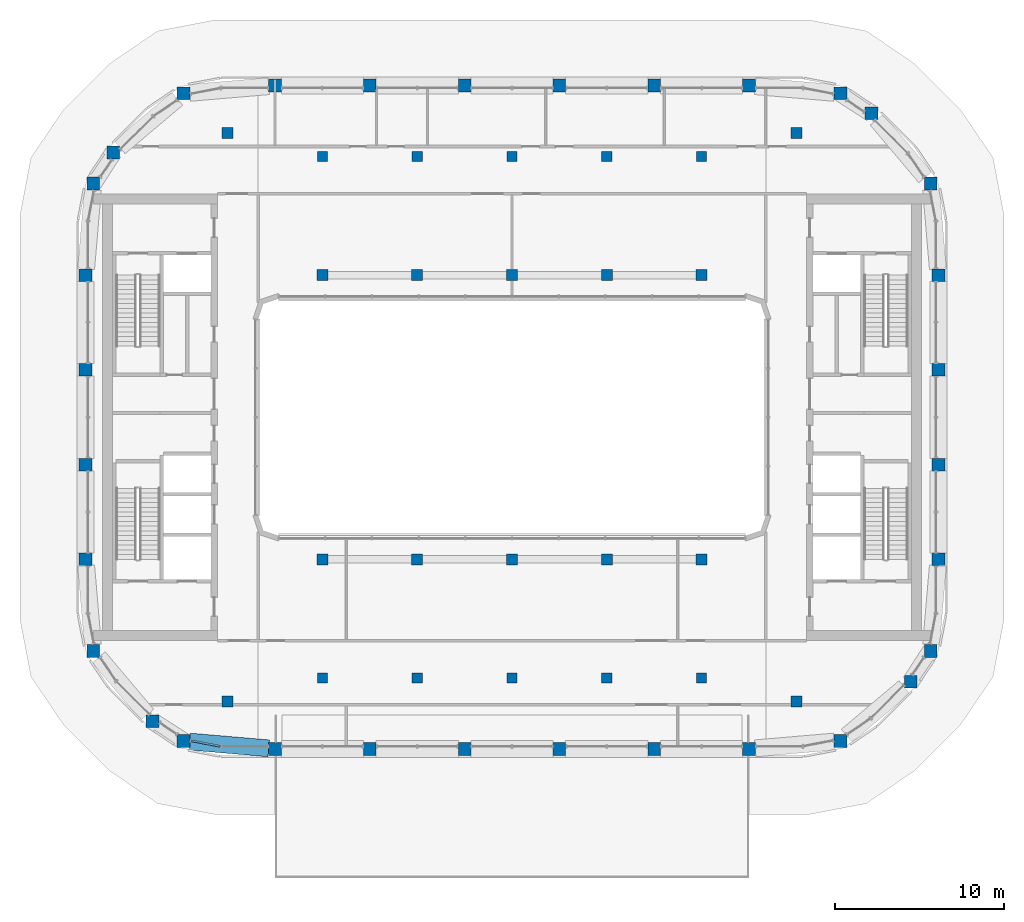
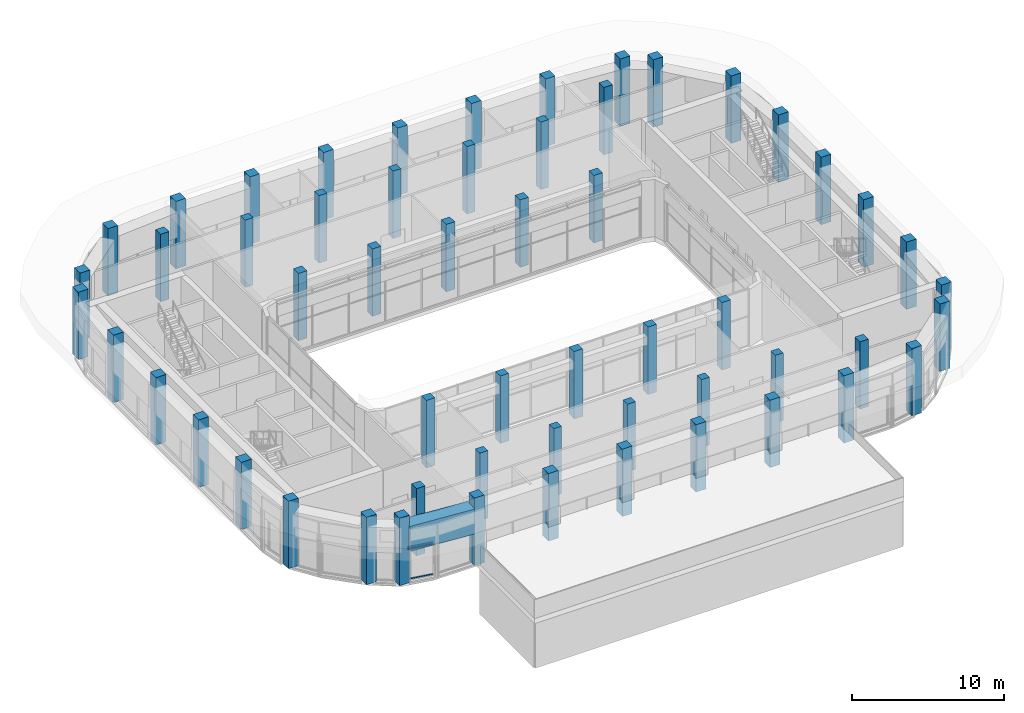
# One storey, part 1 of 23: 56 columns, 3 members, 1 beam, 1 element without a shape of its own.
"""IFC4 building model written with IfcOpenShell, lengths in metres."""

from ifc_helpers import new_model, si_unit, direction, frame, origin, origin_2d, place, context, subcontext, project, spatial, rectangle, extrude, material, layer, layer_set, material_profile, profile_set, type_object, element, aggregate, save


model = new_model("IFC4")

# Units and contexts
model_context = context("Model", 3, precision=1e-05, world=origin(), true_north=direction((0.0, 1.0)))
body_context = subcontext(model_context, "Body", "Model", "MODEL_VIEW")
ifc_project = project(units=[si_unit("LENGTHUNIT", "METRE"), si_unit("AREAUNIT", "SQUARE_METRE"), si_unit("VOLUMEUNIT", "CUBIC_METRE"), si_unit("PLANEANGLEUNIT", "RADIAN"), si_unit("MASSUNIT", "GRAM", prefix="KILO")], contexts=[model_context])

# Site, building, storey
site_placement = place(None, origin())
site = spatial("IfcSite", under=ifc_project, at=site_placement, CompositionType="ELEMENT")
building_placement = place(site_placement, origin())
building = spatial("IfcBuilding", under=site, at=building_placement, Name="Kiln Ring Residences", CompositionType="ELEMENT")
storey_placement = place(building_placement, frame((0.0, 0.0, 294.5)))
storey = spatial("IfcBuildingStorey", under=building, at=storey_placement, Name="L76", CompositionType="ELEMENT", Elevation=294.5)

# Columns
ifc_material_1 = material(Name="Concrete C60/75", Category="concrete")
ifc_material_profile_1 = material_profile(ifc_material_1, rectangle(XDim=0.60009765625, YDim=0.60009765625, at=origin_2d()), Name="RC600x600")
ifc_profile_set_1 = profile_set([ifc_material_profile_1], Name="Concrete C60/75")
column_type_1 = type_object("IfcColumnType", Name="Corridor column RC600x600 C60/75", PredefinedType="COLUMN", material=ifc_profile_set_1)
for number, where, z_axis, x_axis, name in (
    (1, (-11.199951171875, 15.39990234375, 0.0), (0.0, 0.0, 1.0), (1.0, 0.0, 0.0), "Corridor column L76 1"),
    (2, (-5.60009765625, 15.39990234375, 0.0), (0.0, 0.0, 1.0), (1.0, 0.0, 0.0), "Corridor column L76 2"),
    (3, (0.0, 15.39990234375, 0.0), (0.0, 0.0, 1.0), (1.0, 0.0, 0.0), "Corridor column L76 3"),
    (4, (5.60009765625, 15.39990234375, 0.0), (0.0, 0.0, 1.0), (1.0, 0.0, 0.0), "Corridor column L76 4"),
    (5, (11.199951171875, 15.39990234375, 0.0), (0.0, 0.0, 1.0), (1.0, 0.0, 0.0), "Corridor column L76 5"),
    (6, (-11.199951171875, -15.39990234375, 0.0), (0.0, 0.0, 1.0), (1.0, 0.0, 0.0), "Corridor column L76 6"),
    (7, (-5.60009765625, -15.39990234375, 0.0), (0.0, 0.0, 1.0), (1.0, 0.0, 0.0), "Corridor column L76 7"),
    (8, (0.0, -15.39990234375, 0.0), (0.0, 0.0, 1.0), (1.0, 0.0, 0.0), "Corridor column L76 8"),
    (9, (5.60009765625, -15.39990234375, 0.0), (0.0, 0.0, 1.0), (1.0, 0.0, 0.0), "Corridor column L76 9"),
    (10, (11.199951171875, -15.39990234375, 0.0), (0.0, 0.0, 1.0), (1.0, 0.0, 0.0), "Corridor column L76 10"),
):
    element("IfcColumn", number, at=place(storey_placement, frame(where, z_axis=z_axis, x_axis=x_axis)), inside=storey, type_object=column_type_1, Name=name, PredefinedType="COLUMN", context=body_context, shape_type="SweptSolid", body=[
        extrude(rectangle(XDim=0.60009765625, YDim=0.60009765625, at=origin_2d()), origin(), (0.0, 0.0, 1.0), 5.39990234375),
    ])
ifc_material_2 = material(Name="Concrete C60/75", Category="concrete")
ifc_material_profile_2 = material_profile(ifc_material_2, rectangle(XDim=0.75, YDim=0.75, at=origin_2d()), Name="RC750x750")
ifc_profile_set_2 = profile_set([ifc_material_profile_2], Name="Concrete C60/75")
column_type_2 = type_object("IfcColumnType", Name="Perimeter column RC750x750 C60/75", PredefinedType="COLUMN", material=ifc_profile_set_2)
for number, where, z_axis, x_axis, name in (
    (11, (-19.40869140625, -19.13818359375, 0.0), (0.0, 0.0, 1.0), (1.0, 0.0, 0.0), "Perimeter column L76 1"),
    (12, (-14.0, -19.60009765625, 0.0), (0.0, 0.0, 1.0), (1.0, 0.0, 0.0), "Perimeter column L76 2"),
    (13, (-8.39990234375, -19.60009765625, 0.0), (0.0, 0.0, 1.0), (1.0, 0.0, 0.0), "Perimeter column L76 3"),
    (14, (-2.800048828125, -19.60009765625, 0.0), (0.0, 0.0, 1.0), (1.0, 0.0, 0.0), "Perimeter column L76 4"),
    (15, (2.800048828125, -19.60009765625, 0.0), (0.0, 0.0, 1.0), (1.0, 0.0, 0.0), "Perimeter column L76 5"),
    (16, (8.39990234375, -19.60009765625, 0.0), (0.0, 0.0, 1.0), (1.0, 0.0, 0.0), "Perimeter column L76 6"),
    (17, (14.0, -19.60009765625, 0.0), (0.0, 0.0, 1.0), (1.0, 0.0, 0.0), "Perimeter column L76 7"),
    (18, (19.40869140625, -19.13818359375, 0.0), (0.0, 0.0, 1.0), (1.0, 0.0, 0.0), "Perimeter column L76 8"),
    (19, (23.559814453125, -15.64013671875, 0.0), (0.0, 0.0, 1.0), (1.0, 0.0, 0.0), "Perimeter column L76 9"),
    (20, (24.738037109375, -13.80859375, 0.0), (0.0, 0.0, 1.0), (1.0, 0.0, 0.0), "Perimeter column L76 10"),
    (21, (25.199951171875, -8.39990234375, 0.0), (0.0, 0.0, 1.0), (1.0, 0.0, 0.0), "Perimeter column L76 11"),
    (22, (25.199951171875, -2.800048828125, 0.0), (0.0, 0.0, 1.0), (1.0, 0.0, 0.0), "Perimeter column L76 12"),
    (23, (25.199951171875, 2.800048828125, 0.0), (0.0, 0.0, 1.0), (1.0, 0.0, 0.0), "Perimeter column L76 13"),
    (24, (25.199951171875, 8.39990234375, 0.0), (0.0, 0.0, 1.0), (1.0, 0.0, 0.0), "Perimeter column L76 14"),
    (25, (24.738037109375, 13.80859375, 0.0), (0.0, 0.0, 1.0), (1.0, 0.0, 0.0), "Perimeter column L76 15"),
    (26, (21.240234375, 17.959716796875, 0.0), (0.0, 0.0, 1.0), (1.0, 0.0, 0.0), "Perimeter column L76 16"),
    (27, (19.40869140625, 19.13818359375, 0.0), (0.0, 0.0, 1.0), (1.0, 0.0, 0.0), "Perimeter column L76 17"),
    (28, (14.0, 19.60009765625, 0.0), (0.0, 0.0, 1.0), (1.0, 0.0, 0.0), "Perimeter column L76 18"),
    (29, (8.39990234375, 19.60009765625, 0.0), (0.0, 0.0, 1.0), (1.0, 0.0, 0.0), "Perimeter column L76 19"),
    (30, (2.800048828125, 19.60009765625, 0.0), (0.0, 0.0, 1.0), (1.0, 0.0, 0.0), "Perimeter column L76 20"),
    (31, (-2.800048828125, 19.60009765625, 0.0), (0.0, 0.0, 1.0), (1.0, 0.0, 0.0), "Perimeter column L76 21"),
    (32, (-8.39990234375, 19.60009765625, 0.0), (0.0, 0.0, 1.0), (1.0, 0.0, 0.0), "Perimeter column L76 22"),
    (33, (-14.0, 19.60009765625, 0.0), (0.0, 0.0, 1.0), (1.0, 0.0, 0.0), "Perimeter column L76 23"),
    (34, (-19.40869140625, 19.13818359375, 0.0), (0.0, 0.0, 1.0), (1.0, 0.0, 0.0), "Perimeter column L76 24"),
    (35, (-23.559814453125, 15.64013671875, 0.0), (0.0, 0.0, 1.0), (1.0, 0.0, 0.0), "Perimeter column L76 25"),
    (36, (-24.738037109375, 13.80859375, 0.0), (0.0, 0.0, 1.0), (1.0, 0.0, 0.0), "Perimeter column L76 26"),
    (37, (-25.199951171875, 8.39990234375, 0.0), (0.0, 0.0, 1.0), (1.0, 0.0, 0.0), "Perimeter column L76 27"),
    (38, (-25.199951171875, 2.800048828125, 0.0), (0.0, 0.0, 1.0), (1.0, 0.0, 0.0), "Perimeter column L76 28"),
    (39, (-25.199951171875, -2.800048828125, 0.0), (0.0, 0.0, 1.0), (1.0, 0.0, 0.0), "Perimeter column L76 29"),
    (40, (-25.199951171875, -8.39990234375, 0.0), (0.0, 0.0, 1.0), (1.0, 0.0, 0.0), "Perimeter column L76 30"),
    (41, (-24.738037109375, -13.80859375, 0.0), (0.0, 0.0, 1.0), (1.0, 0.0, 0.0), "Perimeter column L76 31"),
    (42, (-21.240234375, -17.959716796875, 0.0), (0.0, 0.0, 1.0), (1.0, 0.0, 0.0), "Perimeter column L76 32"),
):
    element("IfcColumn", number, at=place(storey_placement, frame(where, z_axis=z_axis, x_axis=x_axis)), inside=storey, type_object=column_type_2, Name=name, PredefinedType="COLUMN", context=body_context, shape_type="SweptSolid", body=[
        extrude(rectangle(XDim=0.75, YDim=0.75, at=origin_2d()), origin(), (0.0, 0.0, 1.0), 5.39990234375),
    ])
ifc_material_3 = material(Name="Concrete C60/75", Category="concrete")
ifc_material_profile_3 = material_profile(ifc_material_3, rectangle(XDim=0.64990234375, YDim=0.64990234375, at=origin_2d()), Name="RC650x650")
ifc_profile_set_3 = profile_set([ifc_material_profile_3], Name="Concrete C60/75")
column_type_3 = type_object("IfcColumnType", Name="Ring column RC650x650 C60/75", PredefinedType="COLUMN", material=ifc_profile_set_3)
for number, where, z_axis, x_axis, name in (
    (43, (-16.800048828125, -16.800048828125, 0.0), (0.0, 0.0, 1.0), (1.0, 0.0, 0.0), "Ring column L76 1"),
    (44, (-16.800048828125, 16.800048828125, 0.0), (0.0, 0.0, 1.0), (1.0, 0.0, 0.0), "Ring column L76 2"),
    (45, (-11.199951171875, -8.39990234375, 0.0), (0.0, 0.0, 1.0), (1.0, 0.0, 0.0), "Ring column L76 3"),
    (46, (-11.199951171875, 8.39990234375, 0.0), (0.0, 0.0, 1.0), (1.0, 0.0, 0.0), "Ring column L76 4"),
    (47, (-5.60009765625, -8.39990234375, 0.0), (0.0, 0.0, 1.0), (1.0, 0.0, 0.0), "Ring column L76 5"),
    (48, (-5.60009765625, 8.39990234375, 0.0), (0.0, 0.0, 1.0), (1.0, 0.0, 0.0), "Ring column L76 6"),
    (49, (0.0, -8.39990234375, 0.0), (0.0, 0.0, 1.0), (1.0, 0.0, 0.0), "Ring column L76 7"),
    (50, (0.0, 8.39990234375, 0.0), (0.0, 0.0, 1.0), (1.0, 0.0, 0.0), "Ring column L76 8"),
    (51, (5.60009765625, -8.39990234375, 0.0), (0.0, 0.0, 1.0), (1.0, 0.0, 0.0), "Ring column L76 9"),
    (52, (5.60009765625, 8.39990234375, 0.0), (0.0, 0.0, 1.0), (1.0, 0.0, 0.0), "Ring column L76 10"),
    (53, (11.199951171875, -8.39990234375, 0.0), (0.0, 0.0, 1.0), (1.0, 0.0, 0.0), "Ring column L76 11"),
    (54, (11.199951171875, 8.39990234375, 0.0), (0.0, 0.0, 1.0), (1.0, 0.0, 0.0), "Ring column L76 12"),
    (55, (16.800048828125, -16.800048828125, 0.0), (0.0, 0.0, 1.0), (1.0, 0.0, 0.0), "Ring column L76 13"),
    (56, (16.800048828125, 16.800048828125, 0.0), (0.0, 0.0, 1.0), (1.0, 0.0, 0.0), "Ring column L76 14"),
):
    element("IfcColumn", number, at=place(storey_placement, frame(where, z_axis=z_axis, x_axis=x_axis)), inside=storey, type_object=column_type_3, Name=name, PredefinedType="COLUMN", context=body_context, shape_type="SweptSolid", body=[
        extrude(rectangle(XDim=0.64990234375, YDim=0.64990234375, at=origin_2d()), origin(), (0.0, 0.0, 1.0), 5.39990234375),
    ])

# Curtain wall, members
ifc_material_4 = material(Name="Aluminium and glass", Category="aluminium")
ifc_layer = layer(ifc_material_4, 0.219970703125)
ifc_layer_set = layer_set([ifc_layer], Name="CW5 CURTAIN WALL")
curtain_wall_type = type_object("IfcCurtainWallType", Name="CW5 CURTAIN WALL", PredefinedType="NOTDEFINED", material=ifc_layer_set)
curtain_wall_placement = place(storey_placement, origin())
curtain_wall = element("IfcCurtainWall", 57, at=curtain_wall_placement, inside=storey, type_object=curtain_wall_type, Name="Curtain wall CW5 L76", PredefinedType="NOTDEFINED")
ifc_material_5 = material(Name="Aluminium 6063-T6", Category="aluminium")
ifc_material_profile_4 = material_profile(ifc_material_5, rectangle(XDim=0.1201171875, YDim=0.06005859375, at=origin_2d()), Name="AL 120x60")
ifc_profile_set_4 = profile_set([ifc_material_profile_4], Name="Aluminium 6063-T6")
member_type = type_object("IfcMemberType", Name="CW5 TRANSOM 120 x 60", PredefinedType="USERDEFINED", material=ifc_profile_set_4)
member_1_placement = place(storey_placement, frame((-18.960693359375, -19.111328125, 0.030029296875), z_axis=(0.982280279114, -0.187417857375, 0.0), x_axis=(0.187417857375, 0.982280279114, 0.0)))
member_1 = element("IfcMember", 58, at=member_1_placement, type_object=member_type, Name="CW5 transom 1.1", ObjectType="TRANSOM", PredefinedType="USERDEFINED", context=body_context, shape_type="SweptSolid", body=[
    extrude(rectangle(XDim=0.1201171875, YDim=0.06005859375, at=origin_2d()), origin(), (0.0, 0.0, 1.0), 1.76123046875),
])
member_2_placement = place(storey_placement, frame((-18.960693359375, -19.111328125, 2.39990234375), z_axis=(0.982280279114, -0.187417857375, 0.0), x_axis=(0.187417857375, 0.982280279114, 0.0)))
member_2 = element("IfcMember", 59, at=member_2_placement, type_object=member_type, Name="CW5 transom 1.2", ObjectType="TRANSOM", PredefinedType="USERDEFINED", context=body_context, shape_type="SweptSolid", body=[
    extrude(rectangle(XDim=0.1201171875, YDim=0.06005859375, at=origin_2d()), origin(), (0.0, 0.0, 1.0), 1.76123046875),
])
member_3_placement = place(storey_placement, frame((-18.960693359375, -19.111328125, 2.570068359375), z_axis=(0.982280279114, -0.187417857375, 0.0), x_axis=(0.187417857375, 0.982280279114, 0.0)))
member_3 = element("IfcMember", 60, at=member_3_placement, type_object=member_type, Name="CW5 transom 1.3", ObjectType="TRANSOM", PredefinedType="USERDEFINED", context=body_context, shape_type="SweptSolid", body=[
    extrude(rectangle(XDim=0.1201171875, YDim=0.06005859375, at=origin_2d()), origin(), (0.0, 0.0, 1.0), 1.76123046875),
])
aggregate(curtain_wall, [member_1, member_2, member_3])

# Beam
ifc_material_6 = material(Name="Concrete C70/85", Category="concrete")
ifc_material_profile_5 = material_profile(ifc_material_6, rectangle(XDim=1.0, YDim=2.0, at=origin_2d()), Name="RC1000x2000")
ifc_profile_set_5 = profile_set([ifc_material_profile_5], Name="Concrete C70/85")
beam_type = type_object("IfcBeamType", Name="Transfer girder RC1000x2000 C70/85", PredefinedType="BEAM", material=ifc_profile_set_5)
beam_placement = place(storey_placement, frame((-19.03369140625, -19.170166015625, 3.60009765625), z_axis=(0.996375913916, -0.085059027553, 0.0), x_axis=(0.085059027553, 0.996375913916, 0.0)))
element("IfcBeam", 61, at=beam_placement, inside=storey, type_object=beam_type, Name="Transfer girder L76 1", PredefinedType="BEAM", context=body_context, shape_type="SweptSolid", body=[
    extrude(rectangle(XDim=1.0, YDim=2.0, at=origin_2d()), origin(), (0.0, 0.0, 1.0), 4.675537109375),
])

save(model, "model.ifc")
